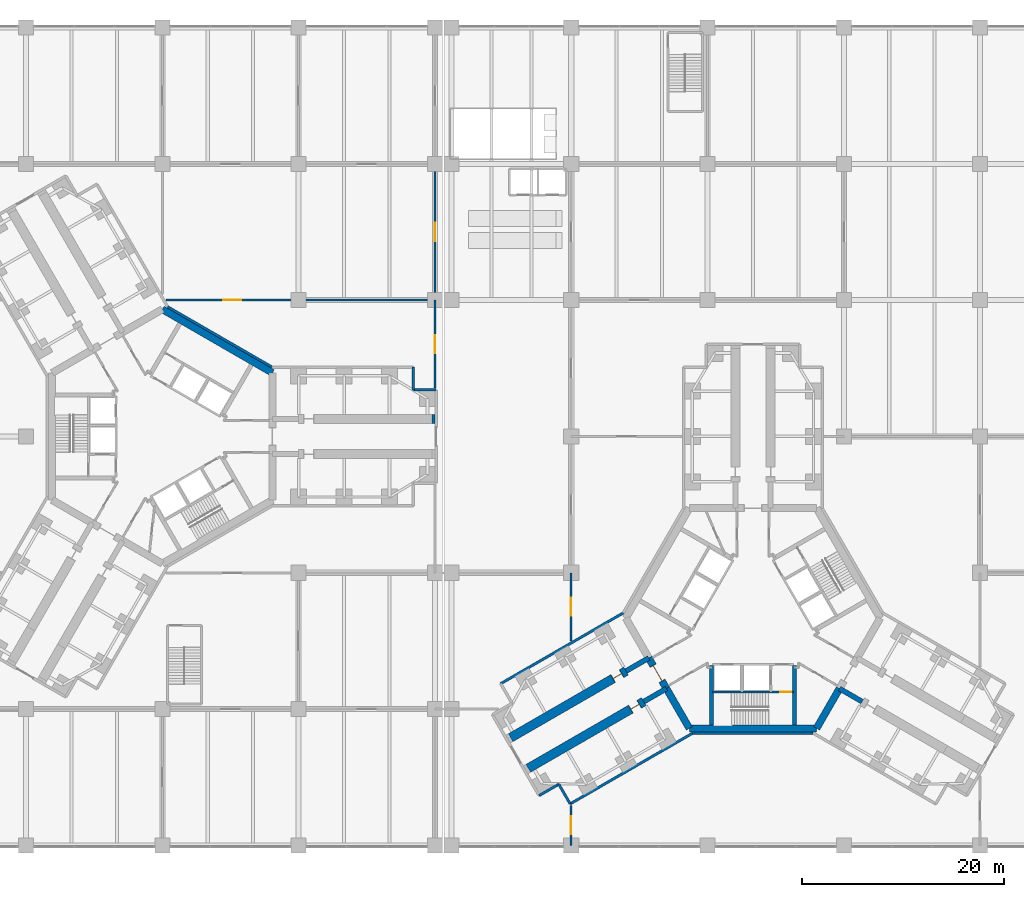
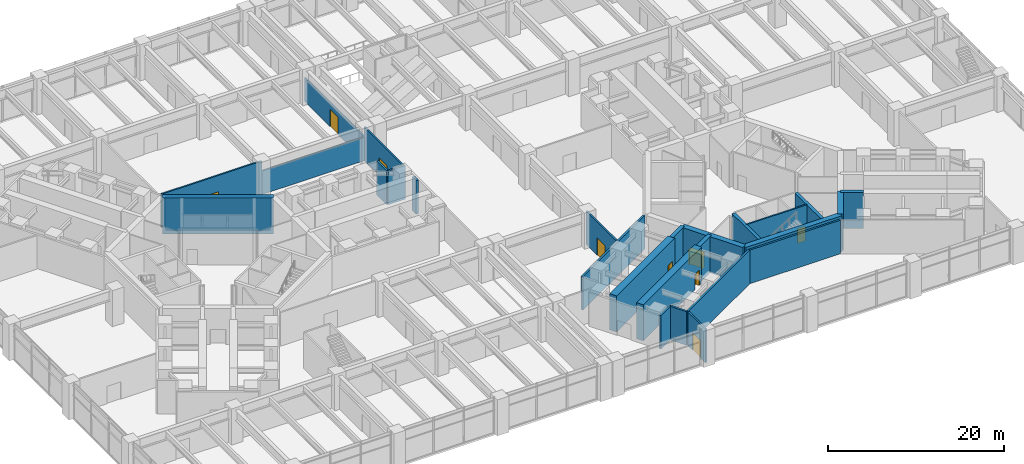
# One storey, part 24 of 32: 28 walls, 9 doors, 9 openings.
"""IFC4 building model written with IfcOpenShell, lengths in metres."""

from ifc_helpers import new_model, si_unit, direction, frame, frame_2d, origin, place, context, subcontext, project, spatial, rectangle, extrude, material, layer, layer_set, type_object, element, fill, save


model = new_model("IFC4")

# Units and contexts
model_context = context("Model", 3, precision=1e-05, world=origin(), true_north=direction((0.0, 1.0)))
body_context = subcontext(model_context, "Body", "Model", "MODEL_VIEW")
ifc_project = project(units=[si_unit("LENGTHUNIT", "METRE"), si_unit("AREAUNIT", "SQUARE_METRE"), si_unit("VOLUMEUNIT", "CUBIC_METRE"), si_unit("PLANEANGLEUNIT", "RADIAN"), si_unit("MASSUNIT", "GRAM", prefix="KILO")], contexts=[model_context])

# Site, building, storey
site_placement = place(None, origin())
site = spatial("IfcSite", under=ifc_project, at=site_placement, CompositionType="ELEMENT")
building_placement = place(site_placement, origin())
building = spatial("IfcBuilding", under=site, at=building_placement, Name="Upepo Twin Towers", CompositionType="ELEMENT")
storey_placement = place(building_placement, frame((0.0, 0.0, 10.5)))
storey = spatial("IfcBuildingStorey", under=building, at=storey_placement, Name="L02", CompositionType="ELEMENT", Elevation=10.5)

# Walls
ifc_material_1 = material(Name="Dense concrete blockwork", Category="masonry")
ifc_layer_1 = layer(ifc_material_1, 0.89990234375)
ifc_layer_set_1 = layer_set([ifc_layer_1], Name="Buttress closer 900, blockwork with fire-stopping to the curtain wall")
wall_type_1 = type_object("IfcWallType", Name="Buttress closer 900, blockwork with fire-stopping to the curtain wall", PredefinedType="PARTITIONING", material=ifc_layer_set_1)
wall_1_placement = place(storey_placement, frame((26.699951171875, 1.75, 0.0), z_axis=(0.0, 0.0, 1.0), x_axis=(1.0, 0.0, 0.0)))
element("IfcWall", 1, at=wall_1_placement, inside=storey, type_object=wall_type_1, Name="T1 L02 wing A buttress closer L", PredefinedType="PARTITIONING", context=body_context, shape_type="SweptSolid", body=[
    extrude(rectangle(XDim=0.300048828125, YDim=0.89990234375, at=frame_2d((0.14990234375, 0.0))), origin(), (0.0, 0.0, 1.0), 4.64990234375),
])
ifc_material_2 = material(Name="Concrete C60/75", Category="concrete")
ifc_layer_2 = layer(ifc_material_2, 0.5)
ifc_layer_set_2 = layer_set([ifc_layer_2], Name="Concrete C60/75")
wall_type_2 = type_object("IfcWallType", Name="Buttress wall 500 RC", PredefinedType="SHEAR", material=ifc_layer_set_2)
for number, where, z_axis, x_axis, name in (
    (2, (49.92822265625, -24.9697265625, 0.0), (0.0, 0.0, 1.0), (-0.866031863473, -0.499988811324, 0.0), "T2 wing B buttress wall L"),
    (3, (48.17822265625, -21.938720703125, 0.0), (0.0, 0.0, 1.0), (-0.866072649678, -0.499918158782, 0.0), "T2 wing B buttress wall R"),
    (4, (67.07177734375, -24.9697265625, 0.0), (0.0, 0.0, 1.0), (0.866031863473, -0.499988811324, 0.0), "T2 wing C buttress wall R"),
):
    element("IfcWall", number, at=place(storey_placement, frame(where, z_axis=z_axis, x_axis=x_axis)), inside=storey, type_object=wall_type_2, Name=name, PredefinedType="SHEAR", context=body_context, shape_type="SweptSolid", body=[
        extrude(rectangle(XDim=2.591796875, YDim=0.5, at=frame_2d((1.2958984375, 0.0))), origin(), (0.0, 0.0, 1.0), 5.0),
    ])

# Wall, opening, door
ifc_material_3 = material(Name="Concrete C60/75", Category="concrete")
ifc_layer_3 = layer(ifc_material_3, 0.89990234375)
ifc_layer_set_3 = layer_set([ifc_layer_3], Name="Concrete C60/75")
wall_type_3 = type_object("IfcWallType", Name="Buttress wall 900 RC", PredefinedType="SHEAR", material=ifc_layer_set_3)
wall_2_placement = place(storey_placement, frame((47.68359375, -26.265625, 0.0), z_axis=(0.0, 0.0, 1.0), x_axis=(-0.866027579429, -0.499996231654, 0.0)))
wall_2 = element("IfcWall", 5, at=wall_2_placement, inside=storey, type_object=wall_type_3, Name="T2 wing B buttress wall L part 2", PredefinedType="SHEAR", context=body_context, shape_type="SweptSolid", body=[
    extrude(rectangle(XDim=13.19970703125, YDim=0.89990234375, at=frame_2d((6.599853515625, 0.0))), origin(), (0.0, 0.0, 1.0), 5.0),
])
opening_1_placement = place(wall_2_placement, frame((0.5, 0.0, 0.0)))
opening_1 = element("IfcOpeningElement", 6, at=opening_1_placement, cuts=wall_2, Name="Opening D1", PredefinedType="OPENING", context=body_context, shape_type="SweptSolid", body=[
    extrude(rectangle(XDim=1.0, YDim=2.10009765625, at=frame_2d((0.5, 1.050048828125))), frame((0.0, 0.4599609375, 0.0), z_axis=(0.0, -1.0, 0.0), x_axis=(1.0, 0.0, 0.0)), (0.0, 0.0, 1.0), 0.919921875),
])
ifc_material_4 = material(Name="Timber doorset", Category="wood")
door_type_1 = type_object("IfcDoorType", Name="Room door 1000 FD30", OperationType="SINGLE_SWING_LEFT", PredefinedType="DOOR", material=ifc_material_4)
door_1_placement = place(opening_1_placement, origin())
door_1 = element("IfcDoor", 7, at=door_1_placement, inside=storey, type_object=door_type_1, Name="T2 L02 library carrel room door", OperationType="SINGLE_SWING_LEFT", OverallHeight=2.10009765625, OverallWidth=1.0, PredefinedType="DOOR", context=body_context, shape_type="SweptSolid", body=[
    extrude(rectangle(XDim=0.92, YDim=2.06009765625, at=frame_2d((0.5, 1.030029296875))), frame((0.0, 0.02490234375, 0.0), z_axis=(0.0, -1.0, 0.0), x_axis=(1.0, 0.0, 0.0)), (0.0, 0.0, 1.0), 0.050048828125),
    extrude(rectangle(XDim=0.04, YDim=2.10009765625, at=frame_2d((0.02001953125, 1.050048828125))), frame((0.0, 0.44970703125, 0.0), z_axis=(0.0, -1.0, 0.0), x_axis=(1.0, 0.0, 0.0)), (0.0, 0.0, 1.0), 0.8994140625),
    extrude(rectangle(XDim=0.04, YDim=2.10009765625, at=frame_2d((0.97998046875, 1.050048828125))), frame((0.0, 0.44970703125, 0.0), z_axis=(0.0, -1.0, 0.0), x_axis=(1.0, 0.0, 0.0)), (0.0, 0.0, 1.0), 0.8994140625),
    extrude(rectangle(XDim=0.92, YDim=0.04, at=frame_2d((0.5, 2.080078125))), frame((0.0, 0.44970703125, 0.0), z_axis=(0.0, -1.0, 0.0), x_axis=(1.0, 0.0, 0.0)), (0.0, 0.0, 1.0), 0.8994140625),
])
fill(opening_1, door_1)

wall_3_placement = place(storey_placement, frame((45.93359375, -23.234375, 0.0), z_axis=(0.0, 0.0, 1.0), x_axis=(-0.866019570528, -0.500010103361, 0.0)))
wall_3 = element("IfcWall", 8, at=wall_3_placement, inside=storey, type_object=wall_type_3, Name="T2 wing B buttress wall R part 2", PredefinedType="SHEAR", context=body_context, shape_type="SweptSolid", body=[
    extrude(rectangle(XDim=13.199951171875, YDim=0.89990234375, at=frame_2d((6.60009765625, 0.0))), origin(), (0.0, 0.0, 1.0), 5.0),
])
opening_2_placement = place(wall_3_placement, frame((0.5, 0.0, 0.0)))
opening_2 = element("IfcOpeningElement", 9, at=opening_2_placement, cuts=wall_3, Name="Opening D1", PredefinedType="OPENING", context=body_context, shape_type="SweptSolid", body=[
    extrude(rectangle(XDim=1.0, YDim=2.10009765625, at=frame_2d((0.5, 1.050048828125))), frame((0.0, 0.4599609375, 0.0), z_axis=(0.0, -1.0, 0.0), x_axis=(1.0, 0.0, 0.0)), (0.0, 0.0, 1.0), 0.919921875),
])
door_2_placement = place(opening_2_placement, origin())
door_2 = element("IfcDoor", 10, at=door_2_placement, inside=storey, type_object=door_type_1, Name="T2 L02 library carrel room door", OperationType="SINGLE_SWING_LEFT", OverallHeight=2.10009765625, OverallWidth=1.0, PredefinedType="DOOR", context=body_context, shape_type="SweptSolid", body=[
    extrude(rectangle(XDim=0.92, YDim=2.06009765625, at=frame_2d((0.5, 1.030029296875))), frame((0.0, 0.02490234375, 0.0), z_axis=(0.0, -1.0, 0.0), x_axis=(1.0, 0.0, 0.0)), (0.0, 0.0, 1.0), 0.050048828125),
    extrude(rectangle(XDim=0.04, YDim=2.10009765625, at=frame_2d((0.02001953125, 1.050048828125))), frame((0.0, 0.44970703125, 0.0), z_axis=(0.0, -1.0, 0.0), x_axis=(1.0, 0.0, 0.0)), (0.0, 0.0, 1.0), 0.8994140625),
    extrude(rectangle(XDim=0.04, YDim=2.10009765625, at=frame_2d((0.97998046875, 1.050048828125))), frame((0.0, 0.44970703125, 0.0), z_axis=(0.0, -1.0, 0.0), x_axis=(1.0, 0.0, 0.0)), (0.0, 0.0, 1.0), 0.8994140625),
    extrude(rectangle(XDim=0.92, YDim=0.04, at=frame_2d((0.5, 2.080078125))), frame((0.0, 0.44970703125, 0.0), z_axis=(0.0, -1.0, 0.0), x_axis=(1.0, 0.0, 0.0)), (0.0, 0.0, 1.0), 0.8994140625),
])
fill(opening_2, door_2)

# Wall
ifc_material_5 = material(Name="Concrete C60/75", Category="concrete")
ifc_layer_4 = layer(ifc_material_5, 0.699951171875)
ifc_layer_set_4 = layer_set([ifc_layer_4], Name="Concrete C60/75")
wall_type_4 = type_object("IfcWallType", Name="Core wall 700 RC", PredefinedType="SHEAR", material=ifc_layer_set_4)
wall_4_placement = place(storey_placement, frame((10.908447265625, 6.2978515625, 0.0), z_axis=(0.0, 0.0, 1.0), x_axis=(-0.866021940709, 0.500005998175, 0.0)))
element("IfcWall", 11, at=wall_4_placement, inside=storey, type_object=wall_type_4, Name="T1 core wall 060", PredefinedType="SHEAR", context=body_context, shape_type="SweptSolid", body=[
    extrude(rectangle(XDim=12.595947265625, YDim=0.699951171875, at=frame_2d((6.2978515625, 0.0))), origin(), (0.0, 0.0, 1.0), 5.0),
])

# Wall, opening, door
wall_5_placement = place(storey_placement, frame((48.17822265625, -21.938720703125, 0.0), z_axis=(0.0, 0.0, 1.0), x_axis=(0.500010275428, -0.866019471182, 0.0)))
wall_5 = element("IfcWall", 12, at=wall_5_placement, inside=storey, type_object=wall_type_4, Name="T2 core wall 120", PredefinedType="SHEAR", context=body_context, shape_type="SweptSolid", body=[
    extrude(rectangle(XDim=3.5, YDim=0.699951171875, at=frame_2d((1.75, 0.0))), origin(), (0.0, 0.0, 1.0), 5.0),
])
opening_3_placement = place(wall_5_placement, frame((0.85009765625, 0.0, 0.0)))
opening_3 = element("IfcOpeningElement", 13, at=opening_3_placement, cuts=wall_5, Name="Opening D2", PredefinedType="OPENING", context=body_context, shape_type="SweptSolid", body=[
    extrude(rectangle(XDim=1.800048828125, YDim=2.10009765625, at=frame_2d((0.89990234375, 1.050048828125))), frame((0.0, 0.35986328125, 0.0), z_axis=(0.0, -1.0, 0.0), x_axis=(1.0, 0.0, 0.0)), (0.0, 0.0, 1.0), 0.719970703125),
])
ifc_material_6 = material(Name="Timber doorset", Category="wood")
door_type_2 = type_object("IfcDoorType", Name="Corridor double door 1800 FD60", OperationType="DOUBLE_DOOR_DOUBLE_SWING", PredefinedType="DOOR", material=ifc_material_6)
door_3_placement = place(opening_3_placement, origin())
door_3 = element("IfcDoor", 14, at=door_3_placement, inside=storey, type_object=door_type_2, Name="T2 L02 wing B corridor door", OperationType="DOUBLE_DOOR_DOUBLE_SWING", OverallHeight=2.10009765625, OverallWidth=1.800048828125, PredefinedType="DOOR", context=body_context, shape_type="SweptSolid", body=[
    extrude(rectangle(XDim=1.720048828125, YDim=2.06009765625, at=frame_2d((0.89990234375, 1.030029296875))), frame((0.0, 0.02490234375, 0.0), z_axis=(0.0, -1.0, 0.0), x_axis=(1.0, 0.0, 0.0)), (0.0, 0.0, 1.0), 0.050048828125),
    extrude(rectangle(XDim=0.04, YDim=2.10009765625, at=frame_2d((0.02001953125, 1.050048828125))), frame((0.0, 0.349609375, 0.0), z_axis=(0.0, -1.0, 0.0), x_axis=(1.0, 0.0, 0.0)), (0.0, 0.0, 1.0), 0.699462890625),
    extrude(rectangle(XDim=0.04, YDim=2.10009765625, at=frame_2d((1.780029296875, 1.050048828125))), frame((0.0, 0.349609375, 0.0), z_axis=(0.0, -1.0, 0.0), x_axis=(1.0, 0.0, 0.0)), (0.0, 0.0, 1.0), 0.699462890625),
    extrude(rectangle(XDim=1.720048828125, YDim=0.04, at=frame_2d((0.89990234375, 2.080078125))), frame((0.0, 0.349609375, 0.0), z_axis=(0.0, -1.0, 0.0), x_axis=(1.0, 0.0, 0.0)), (0.0, 0.0, 1.0), 0.699462890625),
])
fill(opening_3, door_3)

# Walls
wall_6_placement = place(storey_placement, frame((49.92822265625, -24.9697265625, 0.0), z_axis=(0.0, 0.0, 1.0), x_axis=(0.499984222037, -0.866034513004, 0.0)))
element("IfcWall", 15, at=wall_6_placement, inside=storey, type_object=wall_type_4, Name="T2 core wall 120 L", PredefinedType="SHEAR", context=body_context, shape_type="SweptSolid", body=[
    extrude(rectangle(XDim=4.548095703125, YDim=0.699951171875, at=frame_2d((2.27392578125, 0.0))), origin(), (0.0, 0.0, 1.0), 5.0),
])
wall_7_placement = place(storey_placement, frame((52.2021484375, -28.908447265625, 0.0), z_axis=(0.0, 0.0, 1.0), x_axis=(1.0, 0.0, 0.0)))
element("IfcWall", 16, at=wall_7_placement, inside=storey, type_object=wall_type_4, Name="T2 core wall 180", PredefinedType="SHEAR", context=body_context, shape_type="SweptSolid", body=[
    extrude(rectangle(XDim=12.595703125, YDim=0.699951171875, at=frame_2d((6.2978515625, 0.0))), origin(), (0.0, 0.0, 1.0), 5.0),
])
wall_8_placement = place(storey_placement, frame((64.7978515625, -28.908447265625, 0.0), z_axis=(0.0, 0.0, 1.0), x_axis=(0.499984222037, 0.866034513004, 0.0)))
element("IfcWall", 17, at=wall_8_placement, inside=storey, type_object=wall_type_4, Name="T2 core wall 240 R", PredefinedType="SHEAR", context=body_context, shape_type="SweptSolid", body=[
    extrude(rectangle(XDim=4.548095703125, YDim=0.699951171875, at=frame_2d((2.27392578125, 0.0))), origin(), (0.0, 0.0, 1.0), 5.0),
])

# Wall, opening, door
ifc_material_7 = material(Name="Concrete blockwork", Category="masonry")
ifc_layer_5 = layer(ifc_material_7, 0.199951171875)
ifc_layer_set_5 = layer_set([ifc_layer_5], Name="Podium partition 200 blockwork")
wall_type_5 = type_object("IfcWallType", Name="Podium partition 200 blockwork", PredefinedType="PARTITIONING", material=ifc_layer_set_5)
wall_9_placement = place(storey_placement, frame((0.346435546875, 13.5, 0.0), z_axis=(0.0, 0.0, 1.0), x_axis=(1.0, 0.0, 0.0)))
wall_9 = element("IfcWall", 18, at=wall_9_placement, inside=storey, type_object=wall_type_5, Name="L02 podium wall Y24", PredefinedType="PARTITIONING", context=body_context, shape_type="SweptSolid", body=[
    extrude(rectangle(XDim=13.153564453125, YDim=0.199951171875, at=frame_2d((6.57666015625, 0.0))), origin(), (0.0, 0.0, 1.0), 4.64990234375),
])
opening_4_placement = place(wall_9_placement, frame((5.6767578125, 0.0, 0.0)))
opening_4 = element("IfcOpeningElement", 19, at=opening_4_placement, cuts=wall_9, Name="Opening D10", PredefinedType="OPENING", context=body_context, shape_type="SweptSolid", body=[
    extrude(rectangle(XDim=1.800048828125, YDim=2.39990234375, at=frame_2d((0.89990234375, 1.199951171875))), frame((0.0, 0.10986328125, 0.0), z_axis=(0.0, -1.0, 0.0), x_axis=(1.0, 0.0, 0.0)), (0.0, 0.0, 1.0), 0.219970703125),
])
ifc_material_8 = material(Name="Timber doorset", Category="wood")
door_type_3 = type_object("IfcDoorType", Name="Podium double door 1800", OperationType="DOUBLE_DOOR_DOUBLE_SWING", PredefinedType="DOOR", material=ifc_material_8)
door_4_placement = place(opening_4_placement, origin())
door_4 = element("IfcDoor", 20, at=door_4_placement, inside=storey, type_object=door_type_3, Name="L02 library store 2.01-staff offices 2.02 door", OperationType="DOUBLE_DOOR_DOUBLE_SWING", OverallHeight=2.39990234375, OverallWidth=1.800048828125, PredefinedType="DOOR", context=body_context, shape_type="SweptSolid", body=[
    extrude(rectangle(XDim=1.800048828125, YDim=2.39990234375, at=frame_2d((0.89990234375, 1.199951171875))), frame((0.0, 0.02490234375, 0.0), z_axis=(0.0, -1.0, 0.0), x_axis=(1.0, 0.0, 0.0)), (0.0, 0.0, 1.0), 0.050048828125),
])
fill(opening_4, door_4)

wall_10_placement = place(storey_placement, frame((27.0, 4.800048828125, 0.0), z_axis=(0.0, 0.0, 1.0), x_axis=(0.0, 1.0, 0.0)))
wall_10 = element("IfcWall", 21, at=wall_10_placement, inside=storey, type_object=wall_type_5, Name="L02 podium wall X43", PredefinedType="PARTITIONING", context=body_context, shape_type="SweptSolid", body=[
    extrude(rectangle(XDim=8.699951171875, YDim=0.199951171875, at=frame_2d((4.35009765625, 0.0))), origin(), (0.0, 0.0, 1.0), 4.64990234375),
])
opening_5_placement = place(wall_10_placement, frame((3.449951171875, 0.0, 0.0)))
opening_5 = element("IfcOpeningElement", 22, at=opening_5_placement, cuts=wall_10, Name="Opening D10", PredefinedType="OPENING", context=body_context, shape_type="SweptSolid", body=[
    extrude(rectangle(XDim=1.800048828125, YDim=2.39990234375, at=frame_2d((0.89990234375, 1.199951171875))), frame((0.0, 0.10986328125, 0.0), z_axis=(0.0, -1.0, 0.0), x_axis=(1.0, 0.0, 0.0)), (0.0, 0.0, 1.0), 0.219970703125),
])
door_5_placement = place(opening_5_placement, origin())
door_5 = element("IfcDoor", 23, at=door_5_placement, inside=storey, type_object=door_type_3, Name="L02 library store 2.01 door", OperationType="DOUBLE_DOOR_DOUBLE_SWING", OverallHeight=2.39990234375, OverallWidth=1.800048828125, PredefinedType="DOOR", context=body_context, shape_type="SweptSolid", body=[
    extrude(rectangle(XDim=1.800048828125, YDim=2.39990234375, at=frame_2d((0.89990234375, 1.199951171875))), frame((0.0, 0.02490234375, 0.0), z_axis=(0.0, -1.0, 0.0), x_axis=(1.0, 0.0, 0.0)), (0.0, 0.0, 1.0), 0.050048828125),
])
fill(opening_5, door_5)

# Wall
wall_11_placement = place(storey_placement, frame((13.5, 13.5, 0.0), z_axis=(0.0, 0.0, 1.0), x_axis=(1.0, 0.0, 0.0)))
element("IfcWall", 24, at=wall_11_placement, inside=storey, type_object=wall_type_5, Name="L02 podium wall Y34", PredefinedType="PARTITIONING", context=body_context, shape_type="SweptSolid", body=[
    extrude(rectangle(XDim=13.5, YDim=0.199951171875, at=frame_2d((6.75, 0.0))), origin(), (0.0, 0.0, 1.0), 3.25),
])

# Wall, opening, door
wall_12_placement = place(storey_placement, frame((27.0, 13.5, 0.0), z_axis=(0.0, 0.0, 1.0), x_axis=(0.0, 1.0, 0.0)))
wall_12 = element("IfcWall", 25, at=wall_12_placement, inside=storey, type_object=wall_type_5, Name="L02 podium wall X44", PredefinedType="PARTITIONING", context=body_context, shape_type="SweptSolid", body=[
    extrude(rectangle(XDim=13.5, YDim=0.199951171875, at=frame_2d((6.75, 0.0))), origin(), (0.0, 0.0, 1.0), 3.25),
])
opening_6_placement = place(wall_12_placement, frame((5.85009765625, 0.0, 0.0)))
opening_6 = element("IfcOpeningElement", 26, at=opening_6_placement, cuts=wall_12, Name="Opening D10", PredefinedType="OPENING", context=body_context, shape_type="SweptSolid", body=[
    extrude(rectangle(XDim=1.800048828125, YDim=2.39990234375, at=frame_2d((0.89990234375, 1.199951171875))), frame((0.0, 0.10986328125, 0.0), z_axis=(0.0, -1.0, 0.0), x_axis=(1.0, 0.0, 0.0)), (0.0, 0.0, 1.0), 0.219970703125),
])
door_6_placement = place(opening_6_placement, origin())
door_6 = element("IfcDoor", 27, at=door_6_placement, inside=storey, type_object=door_type_3, Name="L02 staff offices 2.02 door", OperationType="DOUBLE_DOOR_DOUBLE_SWING", OverallHeight=2.39990234375, OverallWidth=1.800048828125, PredefinedType="DOOR", context=body_context, shape_type="SweptSolid", body=[
    extrude(rectangle(XDim=1.800048828125, YDim=2.39990234375, at=frame_2d((0.89990234375, 1.199951171875))), frame((0.0, 0.02490234375, 0.0), z_axis=(0.0, -1.0, 0.0), x_axis=(1.0, 0.0, 0.0)), (0.0, 0.0, 1.0), 0.050048828125),
])
fill(opening_6, door_6)

wall_13_placement = place(storey_placement, frame((40.5, -40.5, 0.0), z_axis=(0.0, 0.0, 1.0), x_axis=(0.0, 1.0, 0.0)))
wall_13 = element("IfcWall", 28, at=wall_13_placement, inside=storey, type_object=wall_type_5, Name="L02 podium wall X50", PredefinedType="PARTITIONING", context=body_context, shape_type="SweptSolid", body=[
    extrude(rectangle(XDim=3.967041015625, YDim=0.199951171875, at=frame_2d((1.9833984375, 0.0))), origin(), (0.0, 0.0, 1.0), 4.64990234375),
])
opening_7_placement = place(wall_13_placement, frame((1.08349609375, 0.0, 0.0)))
opening_7 = element("IfcOpeningElement", 29, at=opening_7_placement, cuts=wall_13, Name="Opening D10", PredefinedType="OPENING", context=body_context, shape_type="SweptSolid", body=[
    extrude(rectangle(XDim=1.800048828125, YDim=2.39990234375, at=frame_2d((0.89990234375, 1.199951171875))), frame((0.0, 0.10986328125, 0.0), z_axis=(0.0, -1.0, 0.0), x_axis=(1.0, 0.0, 0.0)), (0.0, 0.0, 1.0), 0.219970703125),
])
door_7_placement = place(opening_7_placement, origin())
door_7 = element("IfcDoor", 30, at=door_7_placement, inside=storey, type_object=door_type_3, Name="L02 library stacks 2.02 door", OperationType="DOUBLE_DOOR_DOUBLE_SWING", OverallHeight=2.39990234375, OverallWidth=1.800048828125, PredefinedType="DOOR", context=body_context, shape_type="SweptSolid", body=[
    extrude(rectangle(XDim=1.800048828125, YDim=2.39990234375, at=frame_2d((0.89990234375, 1.199951171875))), frame((0.0, 0.02490234375, 0.0), z_axis=(0.0, -1.0, 0.0), x_axis=(1.0, 0.0, 0.0)), (0.0, 0.0, 1.0), 0.050048828125),
])
fill(opening_7, door_7)

wall_14_placement = place(storey_placement, frame((40.5, -20.251708984375, 0.0), z_axis=(0.0, 0.0, 1.0), x_axis=(0.0, 1.0, 0.0)))
wall_14 = element("IfcWall", 31, at=wall_14_placement, inside=storey, type_object=wall_type_5, Name="L02 podium wall X51", PredefinedType="PARTITIONING", context=body_context, shape_type="SweptSolid", body=[
    extrude(rectangle(XDim=6.751708984375, YDim=0.199951171875, at=frame_2d((3.3759765625, 0.0))), origin(), (0.0, 0.0, 1.0), 4.64990234375),
])
opening_8_placement = place(wall_14_placement, frame((2.475830078125, 0.0, 0.0)))
opening_8 = element("IfcOpeningElement", 32, at=opening_8_placement, cuts=wall_14, Name="Opening D10", PredefinedType="OPENING", context=body_context, shape_type="SweptSolid", body=[
    extrude(rectangle(XDim=1.800048828125, YDim=2.39990234375, at=frame_2d((0.89990234375, 1.199951171875))), frame((0.0, 0.10986328125, 0.0), z_axis=(0.0, -1.0, 0.0), x_axis=(1.0, 0.0, 0.0)), (0.0, 0.0, 1.0), 0.219970703125),
])
door_8_placement = place(opening_8_placement, origin())
door_8 = element("IfcDoor", 33, at=door_8_placement, inside=storey, type_object=door_type_3, Name="L02 staff offices 2.03-library stacks 2.02 door", OperationType="DOUBLE_DOOR_DOUBLE_SWING", OverallHeight=2.39990234375, OverallWidth=1.800048828125, PredefinedType="DOOR", context=body_context, shape_type="SweptSolid", body=[
    extrude(rectangle(XDim=1.800048828125, YDim=2.39990234375, at=frame_2d((0.89990234375, 1.199951171875))), frame((0.0, 0.02490234375, 0.0), z_axis=(0.0, -1.0, 0.0), x_axis=(1.0, 0.0, 0.0)), (0.0, 0.0, 1.0), 0.050048828125),
])
fill(opening_8, door_8)

ifc_material_9 = material(Name="Concrete C40/50", Category="concrete")
ifc_layer_6 = layer(ifc_material_9, 0.199951171875)
ifc_layer_set_6 = layer_set([ifc_layer_6], Name="Concrete C40/50")
wall_type_6 = type_object("IfcWallType", Name="Shaft wall 200 RC", PredefinedType="SHEAR", material=ifc_layer_set_6)
wall_15_placement = place(storey_placement, frame((54.5, -25.300048828125, 0.0), z_axis=(0.0, 0.0, 1.0), x_axis=(1.0, 0.0, 0.0)))
wall_15 = element("IfcWall", 34, at=wall_15_placement, inside=storey, type_object=wall_type_6, Name="T2 core W180 stair wall", PredefinedType="SHEAR", context=body_context, shape_type="SweptSolid", body=[
    extrude(rectangle(XDim=8.0, YDim=0.199951171875, at=frame_2d((4.0, 0.0))), origin(), (0.0, 0.0, 1.0), 5.0),
])
opening_9_placement = place(wall_15_placement, frame((6.699951171875, 0.0, 0.0)))
opening_9 = element("IfcOpeningElement", 35, at=opening_9_placement, cuts=wall_15, Name="Opening D3", PredefinedType="OPENING", context=body_context, shape_type="SweptSolid", body=[
    extrude(rectangle(XDim=1.10009765625, YDim=2.10009765625, at=frame_2d((0.550048828125, 1.050048828125))), frame((0.0, 0.10986328125, 0.0), z_axis=(0.0, -1.0, 0.0), x_axis=(1.0, 0.0, 0.0)), (0.0, 0.0, 1.0), 0.219970703125),
])
ifc_material_10 = material(Name="Timber doorset", Category="wood")
door_type_4 = type_object("IfcDoorType", Name="Stair door 1100 FD60", OperationType="SINGLE_SWING_LEFT", PredefinedType="DOOR", material=ifc_material_10)
door_9_placement = place(opening_9_placement, origin())
door_9 = element("IfcDoor", 36, at=door_9_placement, inside=storey, type_object=door_type_4, Name="T2 L02 stair door", OperationType="SINGLE_SWING_RIGHT", OverallHeight=2.10009765625, OverallWidth=1.10009765625, PredefinedType="DOOR", context=body_context, shape_type="SweptSolid", body=[
    extrude(rectangle(XDim=1.10009765625, YDim=2.10009765625, at=frame_2d((0.550048828125, 1.050048828125))), frame((0.0, 0.02490234375, 0.0), z_axis=(0.0, -1.0, 0.0), x_axis=(1.0, 0.0, 0.0)), (0.0, 0.0, 1.0), 0.050048828125),
])
fill(opening_9, door_9)

# Walls
ifc_material_11 = material(Name="Concrete C40/50", Category="concrete")
ifc_layer_7 = layer(ifc_material_11, 0.39990234375)
ifc_layer_set_7 = layer_set([ifc_layer_7], Name="Concrete C40/50")
wall_type_7 = type_object("IfcWallType", Name="Shaft wall 400 RC", PredefinedType="SHEAR", material=ifc_layer_set_7)
for number, where, z_axis, x_axis, name in (
    (37, (62.60009765625, -22.699951171875, 0.0), (0.0, 0.0, 1.0), (0.0, -1.0, 0.0), "T2 core W180 side wall N"),
    (38, (54.39990234375, -22.699951171875, 0.0), (0.0, 0.0, 1.0), (0.0, -1.0, 0.0), "T2 core W180 side wall S"),
):
    element("IfcWall", number, at=place(storey_placement, frame(where, z_axis=z_axis, x_axis=x_axis)), inside=storey, type_object=wall_type_7, Name=name, PredefinedType="SHEAR", context=body_context, shape_type="SweptSolid", body=[
        extrude(rectangle(XDim=5.8583984375, YDim=0.39990234375, at=frame_2d((2.92919921875, 0.0))), origin(), (0.0, 0.0, 1.0), 5.0),
    ])
ifc_material_12 = material(Name="Concrete blockwork", Category="masonry")
ifc_layer_8 = layer(ifc_material_12, 0.25)
ifc_layer_set_8 = layer_set([ifc_layer_8], Name="Tower enclosure wall 250 blockwork")
wall_type_8 = type_object("IfcWallType", Name="Tower enclosure wall 250 blockwork", PredefinedType="STANDARD", material=ifc_layer_set_8)
wall_16_placement = place(storey_placement, frame((0.5244140625, 12.841552734375, 0.0), z_axis=(0.0, 0.0, 1.0), x_axis=(0.866027502425, -0.499996365031, 0.0)))
element("IfcWall", 39, at=wall_16_placement, inside=storey, type_object=wall_type_8, Name="T1 L02 enclosure wall 14", PredefinedType="STANDARD", context=body_context, shape_type="SweptSolid", body=[
    extrude(rectangle(XDim=11.93310546875, YDim=0.25, at=frame_2d((5.966552734375, 0.0))), origin(), (0.0, 0.0, 1.0), 4.64990234375),
])
for number, where, z_axis, x_axis, name in (
    (40, (24.875, 6.875, 0.0), (0.0, 0.0, 1.0), (0.0, -1.0, 0.0), "T1 L02 enclosure wall 16"),
    (41, (24.875, 4.625, 0.0), (0.0, 0.0, 1.0), (1.0, 0.0, 0.0), "T1 L02 enclosure wall 17"),
):
    element("IfcWall", number, at=place(storey_placement, frame(where, z_axis=z_axis, x_axis=x_axis)), inside=storey, type_object=wall_type_8, Name=name, PredefinedType="STANDARD", context=body_context, shape_type="SweptSolid", body=[
        extrude(rectangle(XDim=2.25, YDim=0.25, at=frame_2d((1.125, 0.0))), origin(), (0.0, 0.0, 1.0), 4.64990234375),
    ])
wall_17_placement = place(storey_placement, frame((64.466552734375, -29.38330078125, 0.0), z_axis=(0.0, 0.0, 1.0), x_axis=(-1.0, 0.0, 0.0)))
element("IfcWall", 42, at=wall_17_placement, inside=storey, type_object=wall_type_8, Name="T2 L02 enclosure wall 6", PredefinedType="STANDARD", context=body_context, shape_type="SweptSolid", body=[
    extrude(rectangle(XDim=11.93310546875, YDim=0.25, at=frame_2d((5.966552734375, 0.0))), origin(), (0.0, 0.0, 1.0), 4.64990234375),
])
wall_18_placement = place(storey_placement, frame((52.533447265625, -29.38330078125, 0.0), z_axis=(0.0, 0.0, 1.0), x_axis=(-0.866027500821, -0.499996367808, 0.0)))
element("IfcWall", 43, at=wall_18_placement, inside=storey, type_object=wall_type_8, Name="T2 L02 enclosure wall 7", PredefinedType="STANDARD", context=body_context, shape_type="SweptSolid", body=[
    extrude(rectangle(XDim=14.01611328125, YDim=0.25, at=frame_2d((7.008056640625, 0.0))), origin(), (0.0, 0.0, 1.0), 4.64990234375),
])
for number, where, z_axis, x_axis, name in (
    (44, (40.39501953125, -36.391357421875, 0.0), (0.0, 0.0, 1.0), (-0.500013631625, 0.866017533419, 0.0), "T2 L02 enclosure wall 8"),
    (45, (39.27001953125, -34.44287109375, 0.0), (0.0, 0.0, 1.0), (-0.866017533419, -0.500013631625, 0.0), "T2 L02 enclosure wall 9"),
):
    element("IfcWall", number, at=place(storey_placement, frame(where, z_axis=z_axis, x_axis=x_axis)), inside=storey, type_object=wall_type_8, Name=name, PredefinedType="STANDARD", context=body_context, shape_type="SweptSolid", body=[
        extrude(rectangle(XDim=2.25, YDim=0.25, at=frame_2d((1.125, 0.0))), origin(), (0.0, 0.0, 1.0), 4.64990234375),
    ])
wall_19_placement = place(storey_placement, frame((33.52001953125, -24.483642578125, 0.0), z_axis=(0.0, 0.0, 1.0), x_axis=(0.866027500821, 0.499996367808, 0.0)))
element("IfcWall", 46, at=wall_19_placement, inside=storey, type_object=wall_type_8, Name="T2 L02 enclosure wall 13", PredefinedType="STANDARD", context=body_context, shape_type="SweptSolid", body=[
    extrude(rectangle(XDim=14.01611328125, YDim=0.25, at=frame_2d((7.008056640625, 0.0))), origin(), (0.0, 0.0, 1.0), 4.64990234375),
])

save(model, "model.ifc")
